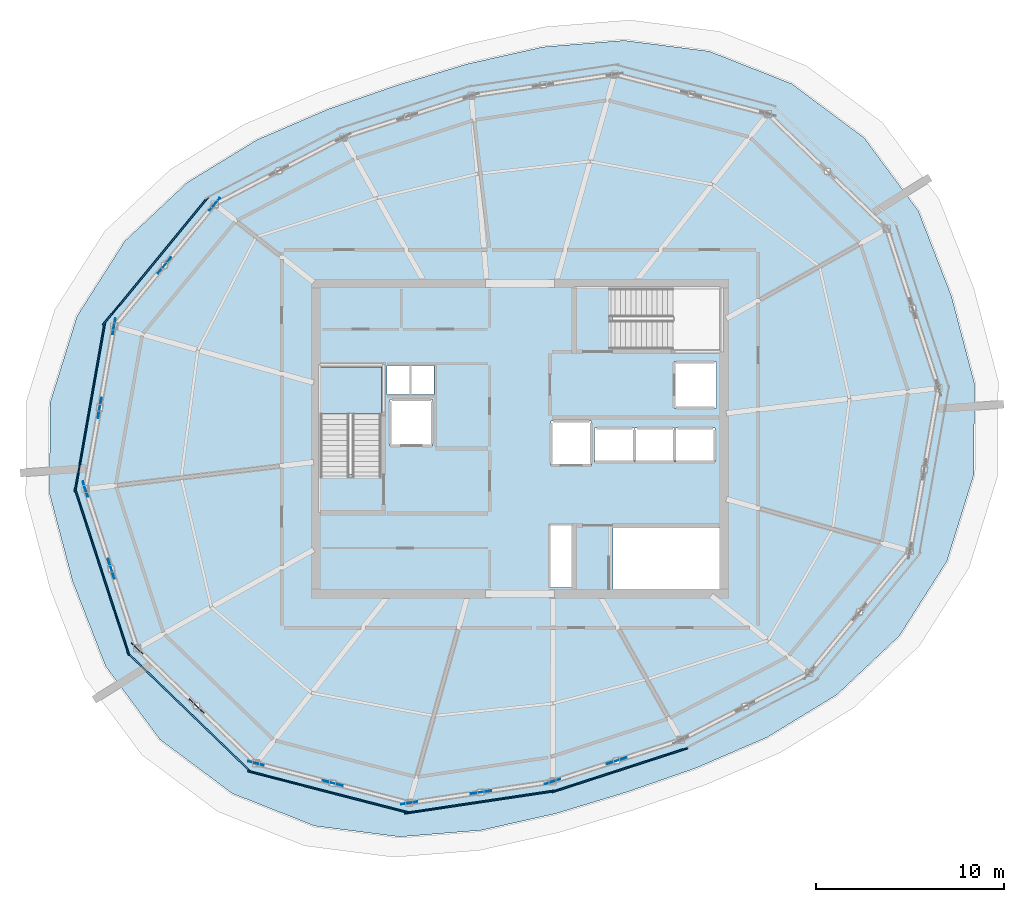
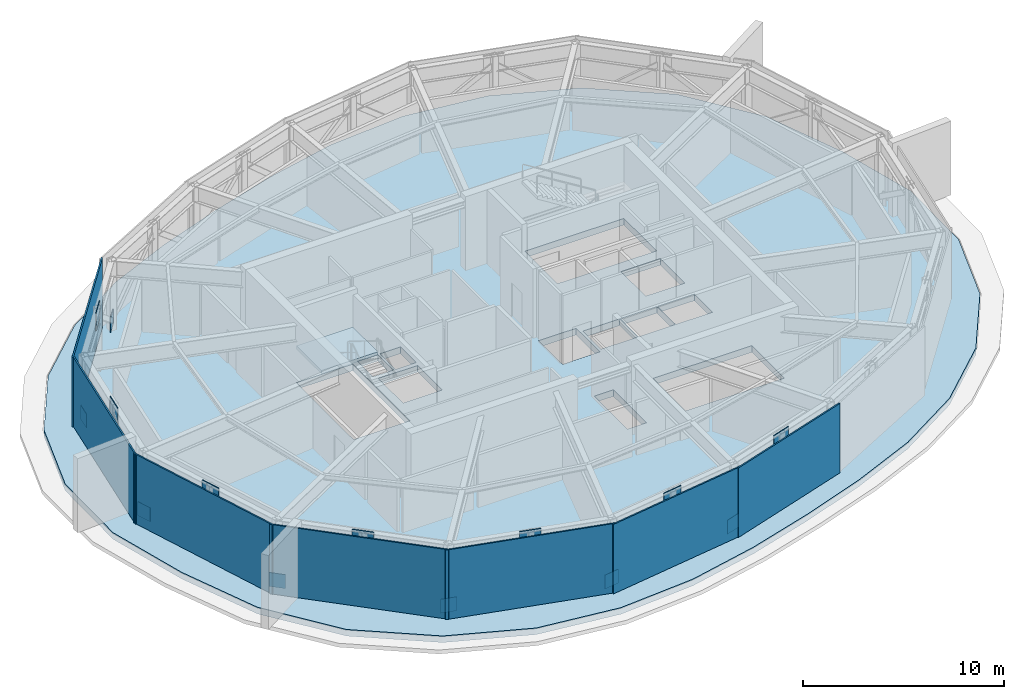
# One storey, part 8 of 14: 21 plates, 2 slabs, 1 element without a shape of its own.
"""IFC4 building model written with IfcOpenShell, lengths in metres."""

from ifc_helpers import new_model, si_unit, direction, frame, origin, origin_2d, place, context, subcontext, project, spatial, polyline, rectangle, outline, extrude, material, layer, layer_set, type_object, element, aggregate, save


model = new_model("IFC4")

# Units and contexts
model_context = context("Model", 3, precision=1e-05, world=origin(), true_north=direction((0.0, 1.0)))
body_context = subcontext(model_context, "Body", "Model", "MODEL_VIEW")
ifc_project = project(units=[si_unit("LENGTHUNIT", "METRE"), si_unit("AREAUNIT", "SQUARE_METRE"), si_unit("VOLUMEUNIT", "CUBIC_METRE"), si_unit("PLANEANGLEUNIT", "RADIAN"), si_unit("MASSUNIT", "GRAM", prefix="KILO")], contexts=[model_context])

# Site, building, storey
site_placement = place(None, origin())
site = spatial("IfcSite", under=ifc_project, at=site_placement, CompositionType="ELEMENT")
building_placement = place(site_placement, origin())
building = spatial("IfcBuilding", under=site, at=building_placement, Name="Kazma Halo Residences", CompositionType="ELEMENT")
storey_placement = place(building_placement, frame((0.0, 0.0, 351.5)))
storey = spatial("IfcBuildingStorey", under=building, at=storey_placement, Name="L88", CompositionType="ELEMENT", Elevation=351.5)

# Plates
ifc_material_1 = material(Name="Aluminium AW-6063 T6 Perforated Acoustic Louvre Screen", Category="aluminium")
ifc_layer_1 = layer(ifc_material_1, 0.080078125)
ifc_layer_set_1 = layer_set([ifc_layer_1], Name="Aluminium AW-6063 T6 Perforated Acoustic Louvre Screen")
plate_type_1 = type_object("IfcPlateType", Name="PLT-CROWN-LOUVRE", PredefinedType="SHEET", material=ifc_layer_set_1)
plate_1_placement = place(storey_placement, frame((29.0419921875, 51.451171875, 0.0), z_axis=(0.0, 0.0, 1.0), x_axis=(-0.636007787073, -0.771682638643, 0.0)))
element("IfcPlate", 1, at=plate_1_placement, inside=storey, type_object=plate_type_1, Name="L88 pale-metal acoustic louvre screen 06", PredefinedType="SHEET", context=body_context, shape_type="SweptSolid", body=[
    extrude(rectangle(XDim=8.8193359375, YDim=0.080078125, at=origin_2d()), origin(), (0.0, 0.0, 1.0), 4.219970703125),
])
plate_2_placement = place(storey_placement, frame((25.54833984375, 43.680908203125, 0.0), z_axis=(0.0, 0.0, 1.0), x_axis=(-0.173656186938, -0.984806340728, 0.0)))
element("IfcPlate", 2, at=plate_2_placement, inside=storey, type_object=plate_type_1, Name="L88 pale-metal acoustic louvre screen 07", PredefinedType="SHEET", context=body_context, shape_type="SweptSolid", body=[
    extrude(rectangle(XDim=9.1904296875, YDim=0.080078125, at=origin_2d()), origin(), (0.0, 0.0, 1.0), 4.219970703125),
])
plate_3_placement = place(storey_placement, frame((26.18701171875, 34.91259765625, 0.0), z_axis=(0.0, 0.0, 1.0), x_axis=(0.309022680214, -0.951054668835, 0.0)))
element("IfcPlate", 3, at=plate_3_placement, inside=storey, type_object=plate_type_1, Name="L88 pale-metal acoustic louvre screen 08", PredefinedType="SHEET", context=body_context, shape_type="SweptSolid", body=[
    extrude(rectangle(XDim=9.3173828125, YDim=0.080078125, at=origin_2d()), origin(), (0.0, 0.0, 1.0), 4.219970703125),
])
plate_4_placement = place(storey_placement, frame((30.82421875, 27.443359375, 0.0), z_axis=(0.0, 0.0, 1.0), x_axis=(0.719342064482, -0.694656025863, 0.0)))
element("IfcPlate", 4, at=plate_4_placement, inside=storey, type_object=plate_type_1, Name="L88 pale-metal acoustic louvre screen 09", PredefinedType="SHEET", context=body_context, shape_type="SweptSolid", body=[
    extrude(rectangle(XDim=9.1904296875, YDim=0.080078125, at=origin_2d()), origin(), (0.0, 0.0, 1.0), 4.219970703125),
])
plate_5_placement = place(storey_placement, frame((38.218017578125, 23.210693359375, 0.0), z_axis=(0.0, 0.0, 1.0), x_axis=(0.968124370805, -0.250469963576, 0.0)))
element("IfcPlate", 5, at=plate_5_placement, inside=storey, type_object=plate_type_1, Name="L88 pale-metal acoustic louvre screen 10", PredefinedType="SHEET", context=body_context, shape_type="SweptSolid", body=[
    extrude(rectangle(XDim=8.8193359375, YDim=0.080078125, at=origin_2d()), origin(), (0.0, 0.0, 1.0), 4.219970703125),
])
plate_6_placement = place(storey_placement, frame((46.30078125, 22.6689453125, 0.0), z_axis=(0.0, 0.0, 1.0), x_axis=(0.98903421845, 0.147686542161, 0.0)))
element("IfcPlate", 6, at=plate_6_placement, inside=storey, type_object=plate_type_1, Name="L88 pale-metal acoustic louvre screen 11", PredefinedType="SHEET", context=body_context, shape_type="SweptSolid", body=[
    extrude(rectangle(XDim=8.110107421875, YDim=0.080078125, at=origin_2d()), origin(), (0.0, 0.0, 1.0), 4.219970703125),
])
plate_7_placement = place(storey_placement, frame((53.728515625, 24.369384765625, 0.0), z_axis=(0.0, 0.0, 1.0), x_axis=(0.951058260985, 0.309011624721, 0.0)))
element("IfcPlate", 7, at=plate_7_placement, inside=storey, type_object=plate_type_1, Name="L88 pale-metal acoustic louvre screen 12", PredefinedType="SHEET", context=body_context, shape_type="SweptSolid", body=[
    extrude(rectangle(XDim=7.568115234375, YDim=0.080078125, at=origin_2d()), origin(), (0.0, 0.0, 1.0), 4.219970703125),
])
ifc_material_2 = material(Name="Steel S355", Category="steel")
ifc_layer_2 = layer(ifc_material_2, 0.0400390625)
ifc_layer_set_2 = layer_set([ifc_layer_2], Name="Steel S355")
plate_type_2 = type_object("IfcPlateType", Name="PLT-GUSSET-40", PredefinedType="SHEET", material=ifc_layer_set_2)
plate_8_placement = place(storey_placement, frame((29.507568359375, 51.218994140625, 3.14990234375), z_axis=(0.0, 0.0, 1.0), x_axis=(-0.636007787073, -0.771682638643, 0.0)))
element("IfcPlate", 8, at=plate_8_placement, inside=storey, type_object=plate_type_2, Name="L88 belt-truss apex gusset plate 06", PredefinedType="SHEET", context=body_context, shape_type="SweptSolid", body=[
    extrude(rectangle(XDim=1.10009765625, YDim=0.0400390625, at=origin_2d()), origin(), (0.0, 0.0, 1.0), 1.10009765625),
])
plate_9_placement = place(storey_placement, frame((32.184814453125, 54.467529296875, 0.054931640625), z_axis=(0.0, 0.0, 1.0), x_axis=(-0.636007787073, -0.771682638643, 0.0)))
element("IfcPlate", 9, at=plate_9_placement, inside=storey, type_object=plate_type_2, Name="L88 belt-truss column gusset plate 06", PredefinedType="SHEET", context=body_context, shape_type="SweptSolid", body=[
    extrude(rectangle(XDim=0.85009765625, YDim=0.0400390625, at=origin_2d()), origin(), (0.0, 0.0, 1.0), 0.85009765625),
])
plate_10_placement = place(storey_placement, frame((26.06689453125, 43.64208984375, 3.14990234375), z_axis=(0.0, 0.0, 1.0), x_axis=(-0.173656186938, -0.984806340728, 0.0)))
element("IfcPlate", 10, at=plate_10_placement, inside=storey, type_object=plate_type_2, Name="L88 belt-truss apex gusset plate 07", PredefinedType="SHEET", context=body_context, shape_type="SweptSolid", body=[
    extrude(rectangle(XDim=1.10009765625, YDim=0.0400390625, at=origin_2d()), origin(), (0.0, 0.0, 1.0), 1.10009765625),
])
plate_11_placement = place(storey_placement, frame((26.830078125, 47.970458984375, 0.054931640625), z_axis=(0.0, 0.0, 1.0), x_axis=(-0.173656186938, -0.984806340728, 0.0)))
element("IfcPlate", 11, at=plate_11_placement, inside=storey, type_object=plate_type_2, Name="L88 belt-truss column gusset plate 07", PredefinedType="SHEET", context=body_context, shape_type="SweptSolid", body=[
    extrude(rectangle(XDim=0.85009765625, YDim=0.0400390625, at=origin_2d()), origin(), (0.0, 0.0, 1.0), 0.85009765625),
])
plate_12_placement = place(storey_placement, frame((26.681396484375, 35.0732421875, 3.14990234375), z_axis=(0.0, 0.0, 1.0), x_axis=(0.309022680214, -0.951054668835, 0.0)))
element("IfcPlate", 12, at=plate_12_placement, inside=storey, type_object=plate_type_2, Name="L88 belt-truss apex gusset plate 08", PredefinedType="SHEET", context=body_context, shape_type="SweptSolid", body=[
    extrude(rectangle(XDim=1.10009765625, YDim=0.0400390625, at=origin_2d()), origin(), (0.0, 0.0, 1.0), 1.10009765625),
])
plate_13_placement = place(storey_placement, frame((25.3037109375, 39.313720703125, 0.054931640625), z_axis=(0.0, 0.0, 1.0), x_axis=(0.309022680214, -0.951054668835, 0.0)))
element("IfcPlate", 13, at=plate_13_placement, inside=storey, type_object=plate_type_2, Name="L88 belt-truss column gusset plate 08", PredefinedType="SHEET", context=body_context, shape_type="SweptSolid", body=[
    extrude(rectangle(XDim=0.85009765625, YDim=0.0400390625, at=origin_2d()), origin(), (0.0, 0.0, 1.0), 0.85009765625),
])
plate_14_placement = place(storey_placement, frame((31.220947265625, 27.779541015625, 3.14990234375), z_axis=(0.0, 0.0, 1.0), x_axis=(0.719342064482, -0.694656025863, 0.0)))
element("IfcPlate", 14, at=plate_14_placement, inside=storey, type_object=plate_type_2, Name="L88 belt-truss apex gusset plate 09", PredefinedType="SHEET", context=body_context, shape_type="SweptSolid", body=[
    extrude(rectangle(XDim=1.10009765625, YDim=0.0400390625, at=origin_2d()), origin(), (0.0, 0.0, 1.0), 1.10009765625),
])
plate_15_placement = place(storey_placement, frame((28.059326171875, 30.832763671875, 0.054931640625), z_axis=(0.0, 0.0, 1.0), x_axis=(0.719342064482, -0.694656025863, 0.0)))
element("IfcPlate", 15, at=plate_15_placement, inside=storey, type_object=plate_type_2, Name="L88 belt-truss column gusset plate 09", PredefinedType="SHEET", context=body_context, shape_type="SweptSolid", body=[
    extrude(rectangle(XDim=0.85009765625, YDim=0.0400390625, at=origin_2d()), origin(), (0.0, 0.0, 1.0), 0.85009765625),
])
plate_16_placement = place(storey_placement, frame((38.4580078125, 23.672119140625, 3.14990234375), z_axis=(0.0, 0.0, 1.0), x_axis=(0.968124370805, -0.250469963576, 0.0)))
element("IfcPlate", 16, at=plate_16_placement, inside=storey, type_object=plate_type_2, Name="L88 belt-truss apex gusset plate 10", PredefinedType="SHEET", context=body_context, shape_type="SweptSolid", body=[
    extrude(rectangle(XDim=1.10009765625, YDim=0.0400390625, at=origin_2d()), origin(), (0.0, 0.0, 1.0), 1.10009765625),
])
plate_17_placement = place(storey_placement, frame((34.382568359375, 24.726318359375, 0.054931640625), z_axis=(0.0, 0.0, 1.0), x_axis=(0.968124370805, -0.250469963576, 0.0)))
element("IfcPlate", 17, at=plate_17_placement, inside=storey, type_object=plate_type_2, Name="L88 belt-truss column gusset plate 10", PredefinedType="SHEET", context=body_context, shape_type="SweptSolid", body=[
    extrude(rectangle(XDim=0.85009765625, YDim=0.0400390625, at=origin_2d()), origin(), (0.0, 0.0, 1.0), 0.85009765625),
])
plate_18_placement = place(storey_placement, frame((46.346435546875, 23.18701171875, 3.14990234375), z_axis=(0.0, 0.0, 1.0), x_axis=(0.98903421845, 0.147686542161, 0.0)))
element("IfcPlate", 18, at=plate_18_placement, inside=storey, type_object=plate_type_2, Name="L88 belt-truss apex gusset plate 11", PredefinedType="SHEET", context=body_context, shape_type="SweptSolid", body=[
    extrude(rectangle(XDim=1.10009765625, YDim=0.0400390625, at=origin_2d()), origin(), (0.0, 0.0, 1.0), 1.10009765625),
])
plate_19_placement = place(storey_placement, frame((42.53369140625, 22.61767578125, 0.054931640625), z_axis=(0.0, 0.0, 1.0), x_axis=(0.98903421845, 0.147686542161, 0.0)))
element("IfcPlate", 19, at=plate_19_placement, inside=storey, type_object=plate_type_2, Name="L88 belt-truss column gusset plate 11", PredefinedType="SHEET", context=body_context, shape_type="SweptSolid", body=[
    extrude(rectangle(XDim=0.85009765625, YDim=0.0400390625, at=origin_2d()), origin(), (0.0, 0.0, 1.0), 0.85009765625),
])
plate_20_placement = place(storey_placement, frame((53.56787109375, 24.86376953125, 3.14990234375), z_axis=(0.0, 0.0, 1.0), x_axis=(0.951058260985, 0.309011624721, 0.0)))
element("IfcPlate", 20, at=plate_20_placement, inside=storey, type_object=plate_type_2, Name="L88 belt-truss apex gusset plate 12", PredefinedType="SHEET", context=body_context, shape_type="SweptSolid", body=[
    extrude(rectangle(XDim=1.10009765625, YDim=0.0400390625, at=origin_2d()), origin(), (0.0, 0.0, 1.0), 1.10009765625),
])
plate_21_placement = place(storey_placement, frame((50.1591796875, 23.75634765625, 0.054931640625), z_axis=(0.0, 0.0, 1.0), x_axis=(0.951058260985, 0.309011624721, 0.0)))
element("IfcPlate", 21, at=plate_21_placement, inside=storey, type_object=plate_type_2, Name="L88 belt-truss column gusset plate 12", PredefinedType="SHEET", context=body_context, shape_type="SweptSolid", body=[
    extrude(rectangle(XDim=0.85009765625, YDim=0.0400390625, at=origin_2d()), origin(), (0.0, 0.0, 1.0), 0.85009765625),
])

# Stair, slab
ifc_material_3 = material(Name="Concrete C50/60", Category="concrete")
stair_type = type_object("IfcStairType", Name="STR-CRWN", PredefinedType="HALF_TURN_STAIR", material=ifc_material_3)
stair_placement = place(storey_placement, origin())
stair = element("IfcStair", 22, at=stair_placement, inside=storey, type_object=stair_type, Name="L88 Core exit stair ST-01", PredefinedType="HALF_TURN_STAIR")
ifc_layer_3 = layer(ifc_material_3, 0.199951171875)
ifc_layer_set_3 = layer_set([ifc_layer_3], Name="Concrete C50/60")
slab_type_1 = type_object("IfcSlabType", Name="SLB-STAIR-LND-200", PredefinedType="LANDING", material=ifc_layer_set_3)
slab_1_placement = place(storey_placement, frame((0.0, 0.0, 2.050048828125)))
slab_1 = element("IfcSlab", 23, at=slab_1_placement, type_object=slab_type_1, Name="ST-01 landing 1", PredefinedType="LANDING", context=body_context, shape_type="SweptSolid", body=[
    extrude(outline(polyline([(41.050048828125, 43.31005859375), (41.050048828125, 45.800048828125), (37.800048828125, 45.800048828125), (37.800048828125, 43.31005859375), (41.050048828125, 43.31005859375)])), origin(), (0.0, 0.0, 1.0), 0.199951171875),
])
aggregate(stair, [slab_1])

# Slab
ifc_material_4 = material(Name="Concrete C60/75", Category="concrete")
ifc_layer_4 = layer(ifc_material_4, 0.39990234375)
ifc_layer_set_4 = layer_set([ifc_layer_4], Name="Concrete C60/75")
slab_type_2 = type_object("IfcSlabType", Name="SLB-TRANS-400", PredefinedType="FLOOR", material=ifc_layer_set_4)
slab_2_placement = place(storey_placement, frame((0.0, 0.0, -0.39990234375)))
element("IfcSlab", 24, at=slab_2_placement, inside=storey, type_object=slab_type_2, Name="L88 structural floor slab", PredefinedType="FLOOR", context=body_context, shape_type="SweptSolid", body=[
    extrude(outline(polyline([(71.375, 49.594970703125), (69.62158203125, 54.108642578125), (66.736572265625, 58.00244140625), (62.88232421875, 60.878173828125), (58.49951171875, 62.606201171875), (53.97412109375, 63.18310546875), (49.639892578125, 62.836181640625), (45.64013671875, 61.9384765625), (41.889892578125, 60.80517578125), (38.189697265625, 59.517578125), (34.426025390625, 57.89306640625), (30.7158203125, 55.625732421875), (27.393798828125, 52.49951171875), (24.863525390625, 48.525146484375), (23.435791015625, 43.93310546875), (23.390380859375, 39.08740234375), (24.625, 34.405029296875), (26.37841796875, 29.891357421875), (29.263427734375, 25.99755859375), (33.11767578125, 23.121826171875), (37.50048828125, 21.393798828125), (42.02587890625, 20.81689453125), (46.360107421875, 21.163818359375), (50.35986328125, 22.0615234375), (54.110107421875, 23.19482421875), (57.810302734375, 24.482421875), (61.573974609375, 26.10693359375), (65.2841796875, 28.374267578125), (68.606201171875, 31.50048828125), (71.136474609375, 35.474853515625), (72.564208984375, 40.06689453125), (72.609619140625, 44.91259765625), (71.375, 49.594970703125)]), holes=[polyline([(37.800048828125, 40.110107421875), (41.050048828125, 40.110107421875), (41.050048828125, 45.800048828125), (37.800048828125, 45.800048828125), (37.800048828125, 40.110107421875)]), polyline([(53.360107421875, 46.75), (59.050048828125, 46.75), (59.050048828125, 50.0), (53.360107421875, 50.0), (53.360107421875, 46.75)]), polyline([(53.360107421875, 34.0), (59.050048828125, 34.0), (59.050048828125, 37.25), (53.360107421875, 37.25), (53.360107421875, 34.0)]), polyline([(41.52001953125, 41.6201171875), (43.780029296875, 41.6201171875), (43.780029296875, 44.080078125), (41.52001953125, 44.080078125), (41.52001953125, 41.6201171875)]), polyline([(56.6201171875, 43.6201171875), (58.8798828125, 43.6201171875), (58.8798828125, 46.080078125), (56.6201171875, 46.080078125), (56.6201171875, 43.6201171875)]), polyline([(52.39501953125, 40.7451171875), (54.5048828125, 40.7451171875), (54.5048828125, 42.554931640625), (52.39501953125, 42.554931640625), (52.39501953125, 40.7451171875)]), polyline([(54.544921875, 40.7451171875), (56.655029296875, 40.7451171875), (56.655029296875, 42.554931640625), (54.544921875, 42.554931640625), (54.544921875, 40.7451171875)]), polyline([(56.695068359375, 40.7451171875), (58.804931640625, 40.7451171875), (58.804931640625, 42.554931640625), (56.695068359375, 42.554931640625), (56.695068359375, 40.7451171875)]), polyline([(50.070068359375, 40.570068359375), (52.22998046875, 40.570068359375), (52.22998046875, 42.929931640625), (50.070068359375, 42.929931640625), (50.070068359375, 40.570068359375)]), polyline([(41.360107421875, 44.340087890625), (42.5400390625, 44.340087890625), (42.5400390625, 45.89990234375), (41.360107421875, 45.89990234375), (41.360107421875, 44.340087890625)]), polyline([(42.659912109375, 44.340087890625), (43.840087890625, 44.340087890625), (43.840087890625, 45.89990234375), (42.659912109375, 45.89990234375), (42.659912109375, 44.340087890625)]), polyline([(50.06005859375, 34.080078125), (51.159912109375, 34.080078125), (51.159912109375, 37.3798828125), (50.06005859375, 37.3798828125), (50.06005859375, 34.080078125)])]), origin(), (0.0, 0.0, 1.0), 0.39990234375),
])

save(model, "model.ifc")
